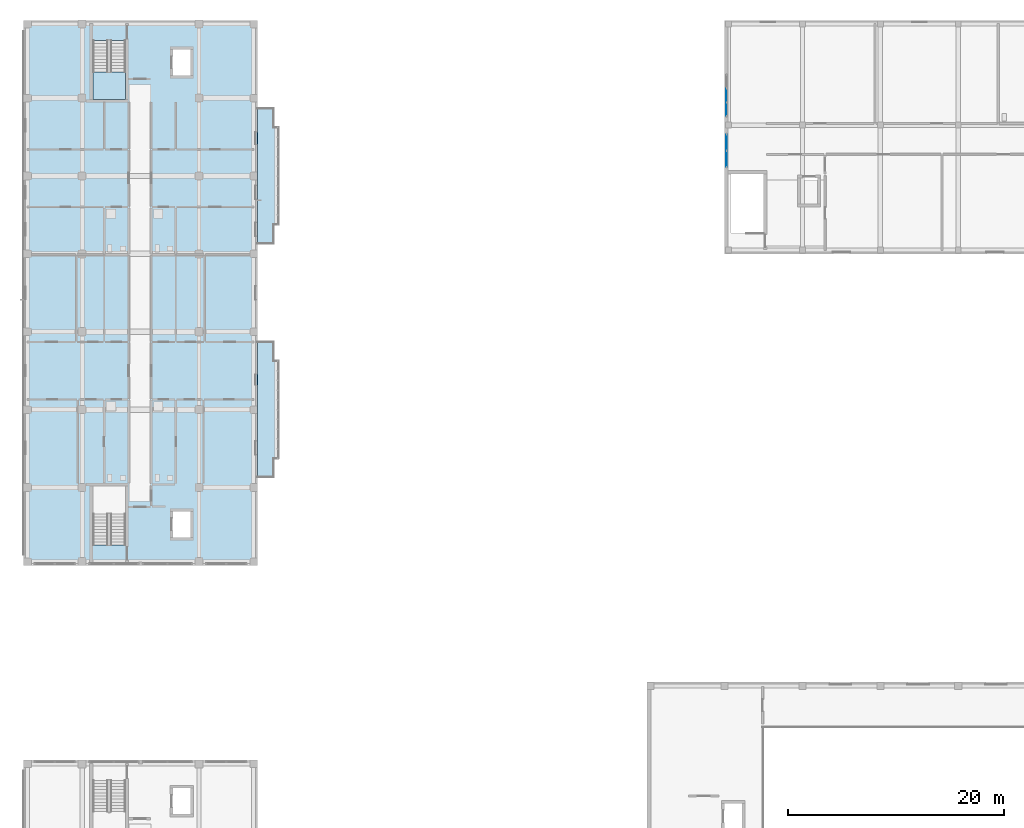
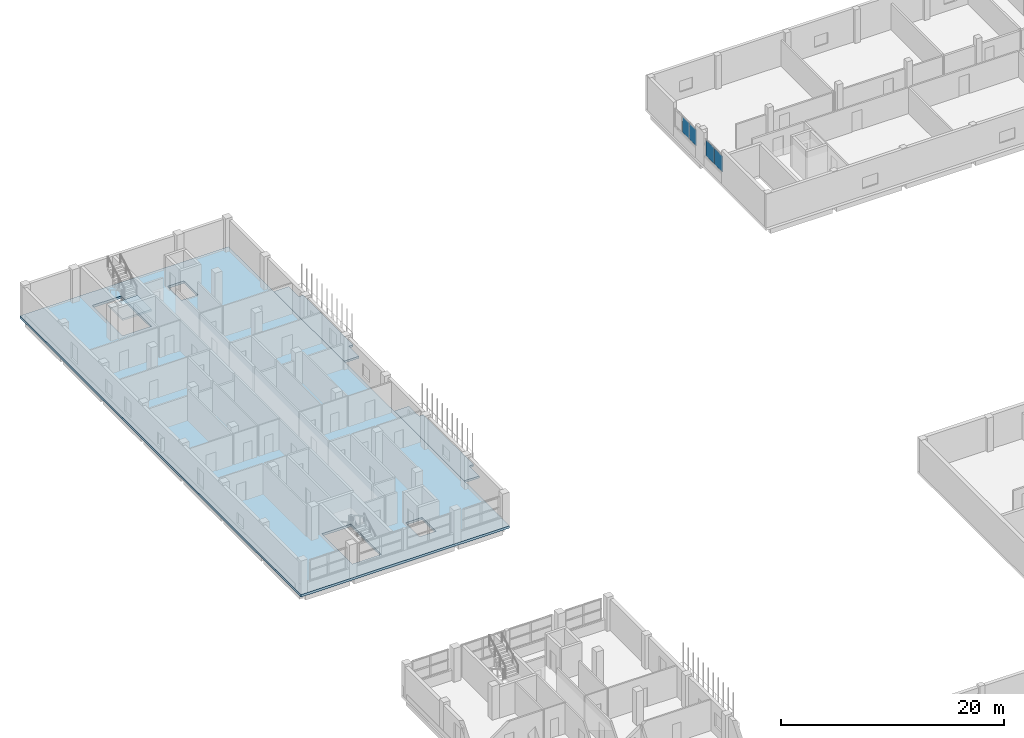
# One storey, part 30 of 73: 4 plates, 4 slabs, 3 elements without a shape of their own.
"""IFC4 building model written with IfcOpenShell, lengths in metres."""

from ifc_helpers import new_model, si_unit, derived_unit, direction, frame, origin, origin_2d, place, context, subcontext, project, spatial, polyline, rectangle, outline, extrude, material, layer, layer_set, type_object, element, aggregate, save


model = new_model("IFC4")

# Units and contexts
model_context = context("Model", 3, precision=1e-05, world=origin(), true_north=direction((0.0, 1.0)))
body_context = subcontext(model_context, "Body", "Model", "MODEL_VIEW")
ifc_project = project(units=[si_unit("LENGTHUNIT", "METRE"), si_unit("AREAUNIT", "SQUARE_METRE"), si_unit("VOLUMEUNIT", "CUBIC_METRE"), si_unit("PLANEANGLEUNIT", "RADIAN"), si_unit("MASSUNIT", "GRAM", prefix="KILO"), derived_unit("THERMALTRANSMITTANCEUNIT", [(si_unit("MASSUNIT", "GRAM", prefix="KILO"), 1), (si_unit("TIMEUNIT", "SECOND"), -3), (si_unit("THERMODYNAMICTEMPERATUREUNIT", "KELVIN"), -1)])], contexts=[model_context])

# Site, building, storey
site_placement = place(None, origin())
site = spatial("IfcSite", under=ifc_project, at=site_placement, CompositionType="ELEMENT")
building_placement = place(site_placement, origin())
building = spatial("IfcBuilding", under=site, at=building_placement, Name="Ochrekiln Boulevard Commons", CompositionType="ELEMENT")
storey_placement = place(building_placement, frame((0.0, 0.0, 4.89990234375)))
storey = spatial("IfcBuildingStorey", under=building, at=storey_placement, Name="L01", CompositionType="ELEMENT", Elevation=4.89990234375)

# Curtain wall, plates
ifc_material_1 = material(Name="Bronze-anodized extruded aluminium 6063-T6", Category="aluminium")
ifc_layer_1 = layer(ifc_material_1, 0.219970703125)
ifc_layer_set_1 = layer_set([ifc_layer_1], Name="Bronze-anodized extruded aluminium 6063-T6")
curtain_wall_type = type_object("IfcCurtainWallType", Name="CW-NUR", PredefinedType="USERDEFINED", material=ifc_layer_set_1)
curtain_wall_1_placement = place(storey_placement, origin())
curtain_wall_1 = element("IfcCurtainWall", 1, at=curtain_wall_1_placement, inside=storey, type_object=curtain_wall_type, Name="Nursery L01 Garden End Curtain Wall W-2", ObjectType="GLAZED CURTAIN WALL", PredefinedType="USERDEFINED")
ifc_material_2 = material(Name="Spectrally selective low-E insulated glazing", Category="glass")
ifc_layer_2 = layer(ifc_material_2, 0.02392578125)
ifc_layer_set_2 = layer_set([ifc_layer_2], Name="Spectrally selective low-E insulated glazing")
plate_type_1 = type_object("IfcPlateType", Name="CWP-GLZ-1", PredefinedType="CURTAIN_PANEL", material=ifc_layer_set_2)
plate_1_placement = place(storey_placement, frame((64.9599609375, 110.566162109375, 1.17529296875), z_axis=(0.0, 0.0, 1.0), x_axis=(0.0, 1.0, 0.0)))
plate_1 = element("IfcPlate", 2, at=plate_1_placement, type_object=plate_type_1, Name="CW-05 panel 1.1", PredefinedType="CURTAIN_PANEL", context=body_context, shape_type="SweptSolid", body=[
    extrude(rectangle(XDim=1.202392578125, YDim=0.02392578125, at=origin_2d()), origin(), (0.0, 0.0, 1.0), 1.760009765625),
])
plate_2_placement = place(storey_placement, frame((64.9599609375, 111.85009765625, 1.17529296875), z_axis=(0.0, 0.0, 1.0), x_axis=(0.0, 1.0, 0.0)))
plate_2 = element("IfcPlate", 3, at=plate_2_placement, type_object=plate_type_1, Name="CW-05 panel 2.1", PredefinedType="CURTAIN_PANEL", context=body_context, shape_type="SweptSolid", body=[
    extrude(rectangle(XDim=1.235107421875, YDim=0.02392578125, at=origin_2d()), origin(), (0.0, 0.0, 1.0), 1.760009765625),
])
aggregate(curtain_wall_1, [plate_1, plate_2])

curtain_wall_2_placement = place(storey_placement, origin())
curtain_wall_2 = element("IfcCurtainWall", 4, at=curtain_wall_2_placement, inside=storey, type_object=curtain_wall_type, Name="Nursery L01 Garden End Curtain Wall W-1", ObjectType="GLAZED CURTAIN WALL", PredefinedType="USERDEFINED")
ifc_layer_3 = layer(ifc_material_2, 0.0419921875)
ifc_layer_set_3 = layer_set([ifc_layer_3], Name="Spectrally selective low-E insulated glazing")
plate_type_2 = type_object("IfcPlateType", Name="CWP-GLZ-4", PredefinedType="CURTAIN_PANEL", material=ifc_layer_set_3)
plate_3_placement = place(storey_placement, frame((64.9599609375, 105.9912109375, 1.17529296875), z_axis=(0.0, 0.0, 1.0), x_axis=(0.0, 1.0, 0.0)))
plate_3 = element("IfcPlate", 5, at=plate_3_placement, type_object=plate_type_2, Name="CW-05 panel 1.1", PredefinedType="CURTAIN_PANEL", context=body_context, shape_type="SweptSolid", body=[
    extrude(rectangle(XDim=1.452392578125, YDim=0.0419921875, at=origin_2d()), origin(), (0.0, 0.0, 1.0), 1.760009765625),
])
plate_4_placement = place(storey_placement, frame((64.9599609375, 107.5087890625, 1.17529296875), z_axis=(0.0, 0.0, 1.0), x_axis=(0.0, 1.0, 0.0)))
plate_4 = element("IfcPlate", 6, at=plate_4_placement, type_object=plate_type_2, Name="CW-05 panel 2.1", PredefinedType="CURTAIN_PANEL", context=body_context, shape_type="SweptSolid", body=[
    extrude(rectangle(XDim=1.452392578125, YDim=0.0419921875, at=origin_2d()), origin(), (0.0, 0.0, 1.0), 1.760009765625),
])
aggregate(curtain_wall_2, [plate_3, plate_4])

# Slabs
ifc_material_3 = material(Name="Concrete C35/45", Category="concrete")
ifc_layer_4 = layer(ifc_material_3, 0.219970703125)
ifc_layer_set_4 = layer_set([ifc_layer_4], Name="Concrete C35/45")
slab_type_1 = type_object("IfcSlabType", Name="SLB-BAL-220", PredefinedType="FLOOR", material=ifc_layer_set_4)
slab_1_placement = place(storey_placement, frame((0.0, 0.0, -0.219970703125)))
element("IfcSlab", 7, at=slab_1_placement, inside=storey, type_object=slab_type_1, Name="Block A L01 Planter-Box Balcony Slab 1", PredefinedType="FLOOR", context=body_context, shape_type="SweptSolid", body=[
    extrude(outline(polyline([(21.60009765625, 76.5), (23.14990234375, 76.5), (23.14990234375, 78.300048828125), (23.60009765625, 78.300048828125), (23.60009765625, 87.300048828125), (23.14990234375, 87.300048828125), (23.14990234375, 89.10009765625), (21.60009765625, 89.10009765625), (21.60009765625, 76.5)])), origin(), (0.0, 0.0, 1.0), 0.219970703125),
])
slab_2_placement = place(storey_placement, frame((0.0, 0.0, -0.219970703125)))
element("IfcSlab", 8, at=slab_2_placement, inside=storey, type_object=slab_type_1, Name="Block A L01 Planter-Box Balcony Slab 2", PredefinedType="FLOOR", context=body_context, shape_type="SweptSolid", body=[
    extrude(outline(polyline([(21.60009765625, 98.10009765625), (23.14990234375, 98.10009765625), (23.14990234375, 99.89990234375), (23.60009765625, 99.89990234375), (23.60009765625, 108.89990234375), (23.14990234375, 108.89990234375), (23.14990234375, 110.699951171875), (21.60009765625, 110.699951171875), (21.60009765625, 98.10009765625)])), origin(), (0.0, 0.0, 1.0), 0.219970703125),
])

# Stair, slab
stair_type = type_object("IfcStairType", Name="STR-DL-368", PredefinedType="TWO_STRAIGHT_RUN_STAIR", material=ifc_material_3)
stair_placement = place(storey_placement, origin())
stair = element("IfcStair", 9, at=stair_placement, inside=storey, type_object=stair_type, Name="L01 Enclosed Exit Stair ST-A2", PredefinedType="TWO_STRAIGHT_RUN_STAIR")
ifc_layer_5 = layer(ifc_material_3, 0.199951171875)
ifc_layer_set_5 = layer_set([ifc_layer_5], Name="Concrete C35/45")
slab_type_2 = type_object("IfcSlabType", Name="SLB-LND-200", PredefinedType="LANDING", material=ifc_layer_set_5)
slab_3_placement = place(storey_placement, frame((0.0, 0.0, 1.6376953125)))
slab_3 = element("IfcSlab", 10, at=slab_3_placement, type_object=slab_type_2, Name="ST-A2 landing 1", PredefinedType="LANDING", context=body_context, shape_type="SweptSolid", body=[
    extrude(outline(polyline([(6.39990234375, 114.030029296875), (6.39990234375, 111.47998046875), (9.39990234375, 111.47998046875), (9.39990234375, 114.030029296875), (6.39990234375, 114.030029296875)])), origin(), (0.0, 0.0, 1.0), 0.199951171875),
])
aggregate(stair, [slab_3])

# Slab
ifc_layer_6 = layer(ifc_material_3, 0.260009765625)
ifc_layer_set_6 = layer_set([ifc_layer_6], Name="Concrete C35/45")
slab_type_3 = type_object("IfcSlabType", Name="SLB-RES-260", PredefinedType="FLOOR", material=ifc_layer_set_6)
slab_4_placement = place(storey_placement, frame((0.0, 0.0, -0.260009765625)))
element("IfcSlab", 11, at=slab_4_placement, inside=storey, type_object=slab_type_3, Name="Block A L01 Reinforced Concrete Floor Slab", PredefinedType="FLOOR", context=body_context, shape_type="SweptSolid", body=[
    extrude(outline(polyline([(0.0, 68.39990234375), (21.60009765625, 68.39990234375), (21.60009765625, 118.800048828125), (0.0, 118.800048828125), (0.0, 68.39990234375)]), holes=[polyline([(9.39990234375, 70.2705078125), (9.39990234375, 75.719970703125), (6.39990234375, 75.719970703125), (6.39990234375, 70.2705078125), (9.39990234375, 70.2705078125)]), polyline([(6.39990234375, 116.929443359375), (6.39990234375, 111.47998046875), (9.39990234375, 111.47998046875), (9.39990234375, 116.929443359375), (6.39990234375, 116.929443359375)]), polyline([(13.75, 70.949951171875), (15.449951171875, 70.949951171875), (15.449951171875, 73.449951171875), (13.75, 73.449951171875), (13.75, 70.949951171875)]), polyline([(13.75, 113.64990234375), (15.449951171875, 113.64990234375), (15.449951171875, 116.14990234375), (13.75, 116.14990234375), (13.75, 113.64990234375)])]), origin(), (0.0, 0.0, 1.0), 0.260009765625),
])

save(model, "model.ifc")
